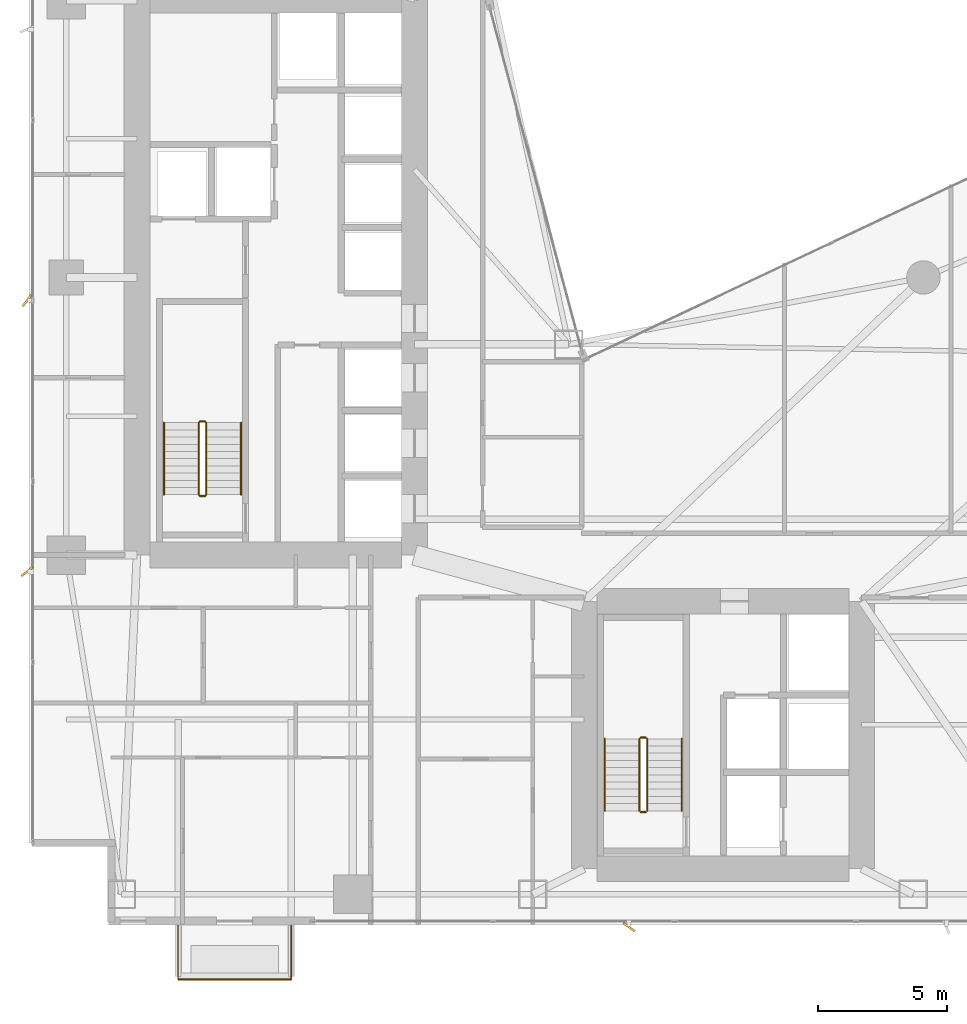
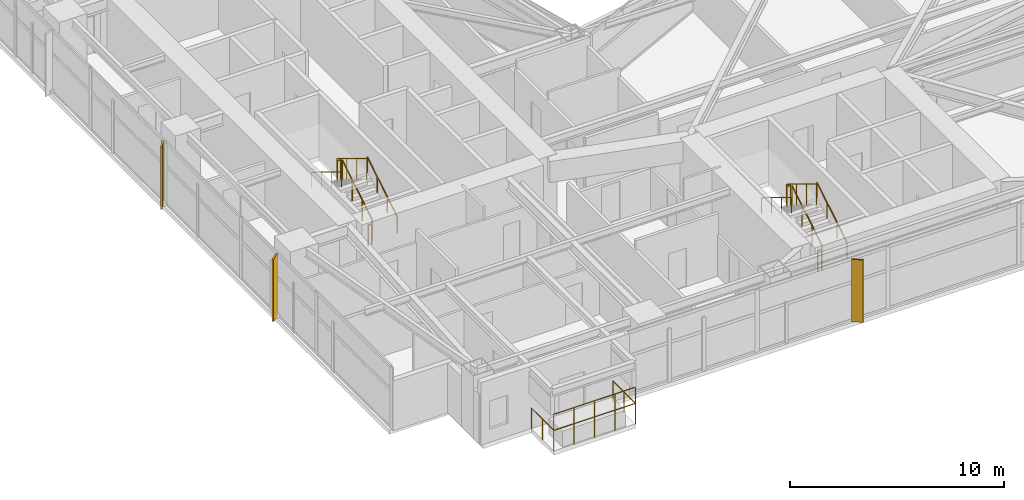
# One storey, part 28 of 29: 14 railings, 3 shading devices.
"""IFC4 building model written with IfcOpenShell, lengths in metres."""

from ifc_helpers import new_model, si_unit, direction, frame, origin, origin_2d, place, context, subcontext, project, spatial, rectangle, circle, extrude, material, type_object, element, save


model = new_model("IFC4")

# Units and contexts
model_context = context("Model", 3, precision=1e-05, world=origin(), true_north=direction((0.0, 1.0)))
body_context = subcontext(model_context, "Body", "Model", "MODEL_VIEW")
ifc_project = project(units=[si_unit("LENGTHUNIT", "METRE"), si_unit("AREAUNIT", "SQUARE_METRE"), si_unit("VOLUMEUNIT", "CUBIC_METRE"), si_unit("PLANEANGLEUNIT", "RADIAN"), si_unit("MASSUNIT", "GRAM", prefix="KILO")], contexts=[model_context])

# Site, building, storey
site_placement = place(None, origin())
site = spatial("IfcSite", under=ifc_project, at=site_placement, CompositionType="ELEMENT")
building_placement = place(site_placement, origin())
building = spatial("IfcBuilding", under=site, at=building_placement, Name="Calvorn Quay Hotel", CompositionType="ELEMENT")
storey_placement = place(building_placement, frame((0.0, 0.0, 81.199951171875)))
storey = spatial("IfcBuildingStorey", under=building, at=storey_placement, Name="L19", CompositionType="ELEMENT", Elevation=81.199951171875)

# Railings
ifc_material_1 = material(Name="Pale Anodised Aluminium and Laminated Glass", Category="aluminium")
railing_type_1 = type_object("IfcRailingType", Name="RLG-BALUSTRADE-1200", PredefinedType="BALUSTRADE", material=ifc_material_1)
railing_1_placement = place(storey_placement, frame((5.800048828125, 2.389892578125, 0.0)))
element("IfcRailing", 1, at=railing_1_placement, inside=storey, type_object=railing_type_1, Name="Tree Balcony Perimeter Balustrade L19-BALC-S", PredefinedType="BALUSTRADE", context=body_context, shape_type="SweptSolid", body=[
    extrude(circle(Radius=0.02392578125, at=origin_2d()), frame((0.0, 0.0, 1.17578125), z_axis=(0.0, -1.0, 0.0), x_axis=(1.0, 0.0, 0.0)), (0.0, 0.0, 1.0), 2.099853515625),
    extrude(circle(Radius=0.02392578125, at=origin_2d()), frame((0.0, -2.099853515625, 1.17578125), z_axis=(1.0, 0.0, 0.0), x_axis=(0.0, 1.0, 0.0)), (0.0, 0.0, 1.0), 4.39990234375),
    extrude(circle(Radius=0.02392578125, at=origin_2d()), frame((4.39990234375, -2.099853515625, 1.17578125), z_axis=(0.0, 1.0, 0.0), x_axis=(-1.0, 0.0, 0.0)), (0.0, 0.0, 1.0), 2.099853515625),
    extrude(circle(Radius=0.02099609375, at=origin_2d()), origin(), (0.0, 0.0, 1.0), 1.15185546875),
    extrude(circle(Radius=0.02099609375, at=origin_2d()), frame((0.0, -1.0498046875, 0.0)), (0.0, 0.0, 1.0), 1.15185546875),
    extrude(circle(Radius=0.02099609375, at=origin_2d()), frame((0.0, -2.099853515625, 0.0)), (0.0, 0.0, 1.0), 1.15185546875),
    extrude(circle(Radius=0.02099609375, at=origin_2d()), frame((1.10009765625, -2.099853515625, 0.0)), (0.0, 0.0, 1.0), 1.15185546875),
    extrude(circle(Radius=0.02099609375, at=origin_2d()), frame((2.199951171875, -2.099853515625, 0.0)), (0.0, 0.0, 1.0), 1.15185546875),
    extrude(circle(Radius=0.02099609375, at=origin_2d()), frame((3.2998046875, -2.099853515625, 0.0)), (0.0, 0.0, 1.0), 1.15185546875),
    extrude(circle(Radius=0.02099609375, at=origin_2d()), frame((4.39990234375, -2.099853515625, 0.0)), (0.0, 0.0, 1.0), 1.15185546875),
    extrude(circle(Radius=0.02099609375, at=origin_2d()), frame((4.39990234375, -1.0498046875, 0.0)), (0.0, 0.0, 1.0), 1.15185546875),
    extrude(circle(Radius=0.02099609375, at=origin_2d()), frame((4.39990234375, 0.0, 0.0)), (0.0, 0.0, 1.0), 1.15185546875),
])
railing_2_placement = place(storey_placement, frame((5.800048828125, 0.2900390625, 0.900146484375)))
element("IfcRailing", 2, at=railing_2_placement, inside=storey, type_object=railing_type_1, Name="Planter Kerb High Safety Screen L19-BALC-S", PredefinedType="BALUSTRADE", context=body_context, shape_type="SweptSolid", body=[
    extrude(circle(Radius=0.02392578125, at=origin_2d()), frame((0.0, 0.0, 1.19580078125), z_axis=(1.0, 0.0, 0.0), x_axis=(0.0, 1.0, 0.0)), (0.0, 0.0, 1.0), 4.39990234375),
    extrude(circle(Radius=0.02099609375, at=origin_2d()), origin(), (0.0, 0.0, 1.0), 1.171875),
    extrude(circle(Radius=0.02099609375, at=origin_2d()), frame((1.10009765625, 0.0, 0.0)), (0.0, 0.0, 1.0), 1.171875),
    extrude(circle(Radius=0.02099609375, at=origin_2d()), frame((2.199951171875, 0.0, 0.0)), (0.0, 0.0, 1.0), 1.171875),
    extrude(circle(Radius=0.02099609375, at=origin_2d()), frame((3.2998046875, 0.0, 0.0)), (0.0, 0.0, 1.0), 1.171875),
    extrude(circle(Radius=0.02099609375, at=origin_2d()), frame((4.39990234375, 0.0, 0.0)), (0.0, 0.0, 1.0), 1.171875),
])
ifc_material_2 = material(Name="Brushed Stainless Steel Handrail", Category="steel")
railing_type_2 = type_object("IfcRailingType", Name="RLG-HANDRAIL-900", PredefinedType="HANDRAIL", material=ifc_material_2)
railing_3_placement = place(storey_placement, frame((8.25, 19.14990234375, 0.1728515625)))
element("IfcRailing", 3, at=railing_3_placement, inside=storey, type_object=railing_type_2, Name="L19 ST-W stair handrail 1", PredefinedType="HANDRAIL", context=body_context, shape_type="SweptSolid", body=[
    extrude(circle(Radius=0.02392578125, at=origin_2d()), frame((0.0, 0.0, 0.8759765625), z_axis=(0.0, 0.851089632645, 0.525020415988), x_axis=(-1.0, 0.0, 0.0)), (0.0, 0.0, 1.0), 3.2900390625),
    extrude(circle(Radius=0.02099609375, at=origin_2d()), origin(), (0.0, 0.0, 1.0), 0.851806640625),
    extrude(circle(Radius=0.02099609375, at=origin_2d()), frame((0.0, 0.933349609375, 0.57568359375)), (0.0, 0.0, 1.0), 0.851806640625),
    extrude(circle(Radius=0.02099609375, at=origin_2d()), frame((0.0, 1.86669921875, 1.151611328125)), (0.0, 0.0, 1.0), 0.851806640625),
    extrude(circle(Radius=0.02099609375, at=origin_2d()), frame((0.0, 2.800048828125, 1.727294921875)), (0.0, 0.0, 1.0), 0.851806640625),
])
railing_4_placement = place(storey_placement, frame((5.25, 21.949951171875, 2.07275390625)))
element("IfcRailing", 4, at=railing_4_placement, inside=storey, type_object=railing_type_2, Name="L19 ST-W stair handrail 2", PredefinedType="HANDRAIL", context=body_context, shape_type="SweptSolid", body=[
    extrude(circle(Radius=0.02392578125, at=origin_2d()), frame((0.0, 0.0, 0.8759765625), z_axis=(0.0, -0.851089632645, 0.525020415988), x_axis=(1.0, 0.0, 0.0)), (0.0, 0.0, 1.0), 3.2900390625),
    extrude(circle(Radius=0.02099609375, at=origin_2d()), origin(), (0.0, 0.0, 1.0), 0.851806640625),
    extrude(circle(Radius=0.02099609375, at=origin_2d()), frame((0.0, -0.933349609375, 0.57568359375)), (0.0, 0.0, 1.0), 0.851806640625),
    extrude(circle(Radius=0.02099609375, at=origin_2d()), frame((0.0, -1.86669921875, 1.151611328125)), (0.0, 0.0, 1.0), 0.851806640625),
    extrude(circle(Radius=0.02099609375, at=origin_2d()), frame((0.0, -2.800048828125, 1.727294921875)), (0.0, 0.0, 1.0), 0.851806640625),
])
railing_5_placement = place(storey_placement, frame((25.39990234375, 6.85009765625, 0.1728515625)))
element("IfcRailing", 5, at=railing_5_placement, inside=storey, type_object=railing_type_2, Name="L19 ST-E stair handrail 1", PredefinedType="HANDRAIL", context=body_context, shape_type="SweptSolid", body=[
    extrude(circle(Radius=0.02392578125, at=origin_2d()), frame((0.0, 0.0, 0.8759765625), z_axis=(0.0, 0.851069175582, 0.525053576669), x_axis=(-1.0, 0.0, 0.0)), (0.0, 0.0, 1.0), 3.289794921875),
    extrude(circle(Radius=0.02099609375, at=origin_2d()), origin(), (0.0, 0.0, 1.0), 0.851806640625),
    extrude(circle(Radius=0.02099609375, at=origin_2d()), frame((0.0, 0.933349609375, 0.57568359375)), (0.0, 0.0, 1.0), 0.851806640625),
    extrude(circle(Radius=0.02099609375, at=origin_2d()), frame((0.0, 1.866455078125, 1.151611328125)), (0.0, 0.0, 1.0), 0.851806640625),
    extrude(circle(Radius=0.02099609375, at=origin_2d()), frame((0.0, 2.7998046875, 1.727294921875)), (0.0, 0.0, 1.0), 0.851806640625),
])
railing_6_placement = place(storey_placement, frame((22.39990234375, 9.64990234375, 2.07275390625)))
element("IfcRailing", 6, at=railing_6_placement, inside=storey, type_object=railing_type_2, Name="L19 ST-E stair handrail 2", PredefinedType="HANDRAIL", context=body_context, shape_type="SweptSolid", body=[
    extrude(circle(Radius=0.02392578125, at=origin_2d()), frame((0.0, 0.0, 0.8759765625), z_axis=(0.0, -0.851069175582, 0.525053576669), x_axis=(1.0, 0.0, 0.0)), (0.0, 0.0, 1.0), 3.289794921875),
    extrude(circle(Radius=0.02099609375, at=origin_2d()), origin(), (0.0, 0.0, 1.0), 0.851806640625),
    extrude(circle(Radius=0.02099609375, at=origin_2d()), frame((0.0, -0.933349609375, 0.57568359375)), (0.0, 0.0, 1.0), 0.851806640625),
    extrude(circle(Radius=0.02099609375, at=origin_2d()), frame((0.0, -1.866455078125, 1.151611328125)), (0.0, 0.0, 1.0), 0.851806640625),
    extrude(circle(Radius=0.02099609375, at=origin_2d()), frame((0.0, -2.7998046875, 1.727294921875)), (0.0, 0.0, 1.0), 0.851806640625),
])
ifc_material_3 = material(Name="Painted Galvanised Steel Balustrade", Category="steel")
railing_type_3 = type_object("IfcRailingType", Name="RLG-STAIR-GUARD-1120", PredefinedType="GUARDRAIL", material=ifc_material_3)
railing_7_placement = place(storey_placement, frame((6.89990234375, 19.14990234375, 0.1728515625)))
element("IfcRailing", 7, at=railing_7_placement, inside=storey, type_object=railing_type_3, Name="L19 ST-W stair guard 1", PredefinedType="GUARDRAIL", context=body_context, shape_type="SweptSolid", body=[
    extrude(circle(Radius=0.02392578125, at=origin_2d()), frame((0.0, 0.0, 1.17578125), z_axis=(0.0, 0.851089632645, 0.525020415988), x_axis=(-1.0, 0.0, 0.0)), (0.0, 0.0, 1.0), 3.2900390625),
    extrude(circle(Radius=0.02099609375, at=origin_2d()), origin(), (0.0, 0.0, 1.0), 1.15185546875),
    extrude(circle(Radius=0.02099609375, at=origin_2d()), frame((0.0, 0.933349609375, 0.57568359375)), (0.0, 0.0, 1.0), 1.15185546875),
    extrude(circle(Radius=0.02099609375, at=origin_2d()), frame((0.0, 1.86669921875, 1.151611328125)), (0.0, 0.0, 1.0), 1.15185546875),
    extrude(circle(Radius=0.02099609375, at=origin_2d()), frame((0.0, 2.800048828125, 1.727294921875)), (0.0, 0.0, 1.0), 1.15185546875),
])
railing_8_placement = place(storey_placement, frame((6.85009765625, 22.0, 1.900146484375)))
element("IfcRailing", 8, at=railing_8_placement, inside=storey, type_object=railing_type_3, Name="L19 ST-W stair guard 2", PredefinedType="GUARDRAIL", context=body_context, shape_type="SweptSolid", body=[
    extrude(circle(Radius=0.02392578125, at=origin_2d()), frame((0.0, 0.0, 1.17578125), z_axis=(-1.0, 0.0, 0.0), x_axis=(0.0, -1.0, 0.0)), (0.0, 0.0, 1.0), 0.2001953125),
    extrude(circle(Radius=0.02099609375, at=origin_2d()), origin(), (0.0, 0.0, 1.0), 1.15185546875),
    extrude(circle(Radius=0.02099609375, at=origin_2d()), frame((-0.2001953125, 0.0, 0.0)), (0.0, 0.0, 1.0), 1.15185546875),
])
railing_9_placement = place(storey_placement, frame((6.60009765625, 21.949951171875, 2.07275390625)))
element("IfcRailing", 9, at=railing_9_placement, inside=storey, type_object=railing_type_3, Name="L19 ST-W stair guard 3", PredefinedType="GUARDRAIL", context=body_context, shape_type="SweptSolid", body=[
    extrude(circle(Radius=0.02392578125, at=origin_2d()), frame((0.0, 0.0, 1.17578125), z_axis=(0.0, -0.851089632645, 0.525020415988), x_axis=(1.0, 0.0, 0.0)), (0.0, 0.0, 1.0), 3.2900390625),
    extrude(circle(Radius=0.02099609375, at=origin_2d()), origin(), (0.0, 0.0, 1.0), 1.15185546875),
    extrude(circle(Radius=0.02099609375, at=origin_2d()), frame((0.0, -0.933349609375, 0.57568359375)), (0.0, 0.0, 1.0), 1.15185546875),
    extrude(circle(Radius=0.02099609375, at=origin_2d()), frame((0.0, -1.86669921875, 1.151611328125)), (0.0, 0.0, 1.0), 1.15185546875),
    extrude(circle(Radius=0.02099609375, at=origin_2d()), frame((0.0, -2.800048828125, 1.727294921875)), (0.0, 0.0, 1.0), 1.15185546875),
])
railing_10_placement = place(storey_placement, frame((6.85009765625, 19.10009765625, 0.0)))
element("IfcRailing", 10, at=railing_10_placement, inside=storey, type_object=railing_type_3, Name="L19 ST-W stair guard 4", PredefinedType="GUARDRAIL", context=body_context, shape_type="SweptSolid", body=[
    extrude(circle(Radius=0.02392578125, at=origin_2d()), frame((0.0, 0.0, 1.17578125), z_axis=(-1.0, 0.0, 0.0), x_axis=(0.0, -1.0, 0.0)), (0.0, 0.0, 1.0), 0.2001953125),
    extrude(circle(Radius=0.02099609375, at=origin_2d()), origin(), (0.0, 0.0, 1.0), 1.15185546875),
    extrude(circle(Radius=0.02099609375, at=origin_2d()), frame((-0.2001953125, 0.0, 0.0)), (0.0, 0.0, 1.0), 1.15185546875),
])
railing_11_placement = place(storey_placement, frame((24.050048828125, 6.85009765625, 0.1728515625)))
element("IfcRailing", 11, at=railing_11_placement, inside=storey, type_object=railing_type_3, Name="L19 ST-E stair guard 1", PredefinedType="GUARDRAIL", context=body_context, shape_type="SweptSolid", body=[
    extrude(circle(Radius=0.02392578125, at=origin_2d()), frame((0.0, 0.0, 1.17578125), z_axis=(0.0, 0.851069175582, 0.525053576669), x_axis=(-1.0, 0.0, 0.0)), (0.0, 0.0, 1.0), 3.289794921875),
    extrude(circle(Radius=0.02099609375, at=origin_2d()), origin(), (0.0, 0.0, 1.0), 1.15185546875),
    extrude(circle(Radius=0.02099609375, at=origin_2d()), frame((0.0, 0.933349609375, 0.57568359375)), (0.0, 0.0, 1.0), 1.15185546875),
    extrude(circle(Radius=0.02099609375, at=origin_2d()), frame((0.0, 1.866455078125, 1.151611328125)), (0.0, 0.0, 1.0), 1.15185546875),
    extrude(circle(Radius=0.02099609375, at=origin_2d()), frame((0.0, 2.7998046875, 1.727294921875)), (0.0, 0.0, 1.0), 1.15185546875),
])
railing_12_placement = place(storey_placement, frame((24.0, 9.699951171875, 1.900146484375)))
element("IfcRailing", 12, at=railing_12_placement, inside=storey, type_object=railing_type_3, Name="L19 ST-E stair guard 2", PredefinedType="GUARDRAIL", context=body_context, shape_type="SweptSolid", body=[
    extrude(circle(Radius=0.02392578125, at=origin_2d()), frame((0.0, 0.0, 1.17578125), z_axis=(-1.0, 0.0, 0.0), x_axis=(0.0, -1.0, 0.0)), (0.0, 0.0, 1.0), 0.199951171875),
    extrude(circle(Radius=0.02099609375, at=origin_2d()), origin(), (0.0, 0.0, 1.0), 1.15185546875),
    extrude(circle(Radius=0.02099609375, at=origin_2d()), frame((-0.199951171875, 0.0, 0.0)), (0.0, 0.0, 1.0), 1.15185546875),
])
railing_13_placement = place(storey_placement, frame((23.75, 9.64990234375, 2.07275390625)))
element("IfcRailing", 13, at=railing_13_placement, inside=storey, type_object=railing_type_3, Name="L19 ST-E stair guard 3", PredefinedType="GUARDRAIL", context=body_context, shape_type="SweptSolid", body=[
    extrude(circle(Radius=0.02392578125, at=origin_2d()), frame((0.0, 0.0, 1.17578125), z_axis=(0.0, -0.851069175582, 0.525053576669), x_axis=(1.0, 0.0, 0.0)), (0.0, 0.0, 1.0), 3.289794921875),
    extrude(circle(Radius=0.02099609375, at=origin_2d()), origin(), (0.0, 0.0, 1.0), 1.15185546875),
    extrude(circle(Radius=0.02099609375, at=origin_2d()), frame((0.0, -0.933349609375, 0.57568359375)), (0.0, 0.0, 1.0), 1.15185546875),
    extrude(circle(Radius=0.02099609375, at=origin_2d()), frame((0.0, -1.866455078125, 1.151611328125)), (0.0, 0.0, 1.0), 1.15185546875),
    extrude(circle(Radius=0.02099609375, at=origin_2d()), frame((0.0, -2.7998046875, 1.727294921875)), (0.0, 0.0, 1.0), 1.15185546875),
])
railing_14_placement = place(storey_placement, frame((24.0, 6.800048828125, 0.0)))
element("IfcRailing", 14, at=railing_14_placement, inside=storey, type_object=railing_type_3, Name="L19 ST-E stair guard 4", PredefinedType="GUARDRAIL", context=body_context, shape_type="SweptSolid", body=[
    extrude(circle(Radius=0.02392578125, at=origin_2d()), frame((0.0, 0.0, 1.17578125), z_axis=(-1.0, 0.0, 0.0), x_axis=(0.0, -1.0, 0.0)), (0.0, 0.0, 1.0), 0.199951171875),
    extrude(circle(Radius=0.02099609375, at=origin_2d()), origin(), (0.0, 0.0, 1.0), 1.15185546875),
    extrude(circle(Radius=0.02099609375, at=origin_2d()), frame((-0.199951171875, 0.0, 0.0)), (0.0, 0.0, 1.0), 1.15185546875),
])

# Shading devices
ifc_material_4 = material(Name="Champagne Bronze Anodised Aluminium 6063-T6", Category="aluminium")
shading_device_type_1 = type_object("IfcShadingDeviceType", Name="SHD-FIN-A2", PredefinedType="USERDEFINED", material=ifc_material_4)
shading_device_placement = place(storey_placement, frame((-0.080078125, 16.14990234375, 0.0), z_axis=(0.0, 0.0, 1.0), x_axis=(0.788010753607, 0.615661475326, 0.0)))
element("IfcShadingDevice", 15, at=shading_device_placement, inside=storey, type_object=shading_device_type_1, Name="Diagonal Sun-Shading Fin L19-W01", ObjectType="FIN", PredefinedType="USERDEFINED", context=body_context, shape_type="SweptSolid", body=[
    extrude(rectangle(XDim=0.550048828125, YDim=0.080078125, at=origin_2d()), origin(), (0.0, 0.0, 1.0), 3.56005859375),
])
ifc_material_5 = material(Name="Champagne Bronze Anodised Aluminium 6063-T6", Category="aluminium")
shading_device_type_2 = type_object("IfcShadingDeviceType", Name="SHD-FIN-A3", PredefinedType="USERDEFINED", material=ifc_material_5)
for number, where, z_axis, x_axis, name in (
    (16, (-0.080078125, 26.699951171875, 0.0), (0.0, 0.0, 1.0), (0.587785252292, 0.809016994375, 0.0), "Diagonal Sun-Shading Fin L19-W02"),
    (17, (23.35009765625, 2.320068359375, 0.0), (0.0, 0.0, 1.0), (-0.809016994375, 0.587785252292, 0.0), "Diagonal Sun-Shading Fin L19-S01"),
):
    element("IfcShadingDevice", number, at=place(storey_placement, frame(where, z_axis=z_axis, x_axis=x_axis)), inside=storey, type_object=shading_device_type_2, Name=name, ObjectType="FIN", PredefinedType="USERDEFINED", context=body_context, shape_type="SweptSolid", body=[
        extrude(rectangle(XDim=0.550048828125, YDim=0.080078125, at=origin_2d()), origin(), (0.0, 0.0, 1.0), 3.56005859375),
    ])

save(model, "model.ifc")
